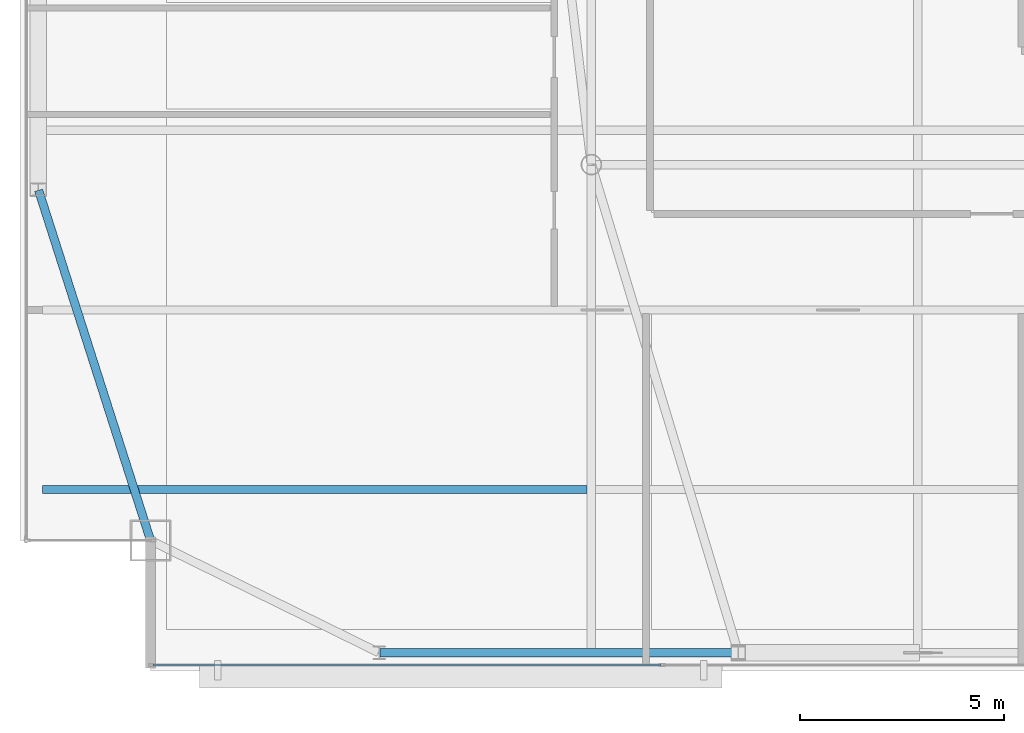
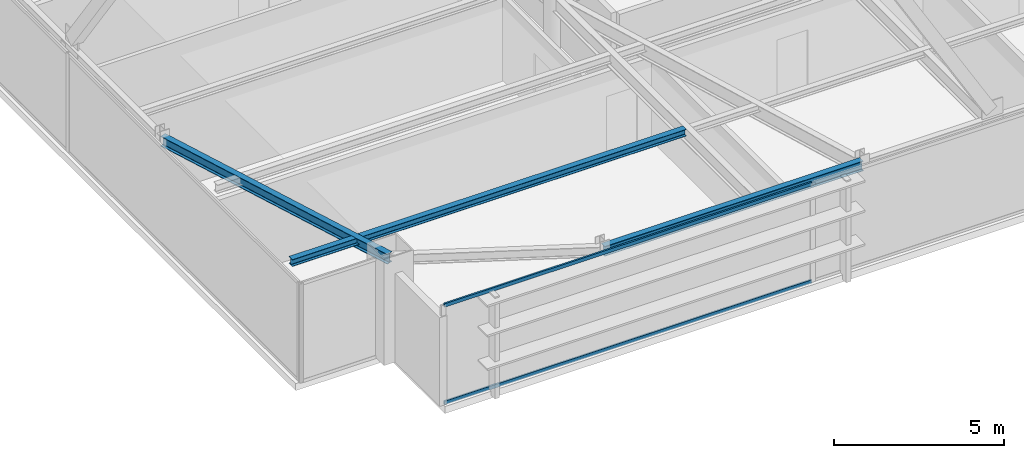
# One storey, part 5 of 24: 3 beams, 2 members, 1 element without a shape of its own.
"""IFC4 building model written with IfcOpenShell, lengths in metres."""

import ifcopenshell
import ifcopenshell.guid

model = None  # the IFC model being written
_history = None  # IfcOwnerHistory: only IFC2X3 demands one
_inside = {}  # id of a spatial element -> (the spatial element, [elements in it])
_under = {}  # id of a project, library or spatial element -> (it, [spatial elements below it])
_declared = {}  # id of a project -> (the project, [libraries it declares])
_typed = {}  # id of a type object -> (the type object, [elements of that type])
_made_of = {}  # id of a material, layer set ... -> (it, [elements and type objects made of it])


def new_model(schema):
    """Start an empty IFC model of exactly this schema.

    Asked for "IFC4X3", IfcOpenShell would pick the latest addendum, in which some entities
    have other attributes; the version numbers below select the first issue.
    IFC2X3 requires an IfcOwnerHistory on every rooted entity: one is made here for all.
    """
    global model, _history
    if schema == "IFC4X3":
        model = ifcopenshell.file(schema_version=(4, 3, 0, 0))
    else:
        model = ifcopenshell.file(schema=schema)
    _inside.clear()
    _under.clear()
    _declared.clear()
    _typed.clear()
    _made_of.clear()
    _history = None
    if model.schema == "IFC2X3":
        org = make("IfcOrganization", Name="unknown")
        user = make(
            "IfcPersonAndOrganization",
            ThePerson=make("IfcPerson", FamilyName="unknown"),
            TheOrganization=org,
        )
        app = make(
            "IfcApplication",
            ApplicationDeveloper=org,
            Version="unknown",
            ApplicationFullName="unknown",
            ApplicationIdentifier="unknown",
        )
        _history = make(
            "IfcOwnerHistory",
            OwningUser=user,
            OwningApplication=app,
            ChangeAction="ADDED",
            CreationDate=0,
        )
    return model


def make(cls, **values):
    """One entity of the class cls with the attributes given. An attribute that is None is left unset."""
    return model.create_entity(
        cls, **{name: value for name, value in values.items() if value is not None}
    )


def rooted(cls, **values):
    """An entity with a GlobalId (a new one), such as an element, a storey or a relation."""
    return make(cls, GlobalId=ifcopenshell.guid.new(), OwnerHistory=_history, **values)


def si_unit(unit_type, name, prefix=None):
    """IfcSIUnit, for example si_unit("LENGTHUNIT", "METRE", prefix="MILLI")."""
    return make("IfcSIUnit", UnitType=unit_type, Prefix=prefix, Name=name)


def assignment(units):
    """IfcUnitAssignment: the units of a project."""
    return None if units is None else make("IfcUnitAssignment", Units=units)


def point(xyz):
    """IfcCartesianPoint."""
    return None if xyz is None else make("IfcCartesianPoint", Coordinates=xyz)


def direction(xyz):
    """IfcDirection."""
    return None if xyz is None else make("IfcDirection", DirectionRatios=xyz)


def frame(location, z_axis=None, x_axis=None):
    """IfcAxis2Placement3D, a coordinate frame: its origin and axes. An axis left out is left unset."""
    return make(
        "IfcAxis2Placement3D",
        Location=point(location),
        Axis=direction(z_axis),
        RefDirection=direction(x_axis),
    )


def frame_2d(location, x_axis=None):
    """IfcAxis2Placement2D, a coordinate frame in the plane: its origin and x axis."""
    return make(
        "IfcAxis2Placement2D", Location=point(location), RefDirection=direction(x_axis)
    )


def origin():
    """The frame at (0, 0, 0) with its axes left unset."""
    return frame((0.0, 0.0, 0.0))


def origin_2d():
    """The frame at (0, 0) in the plane with its x axis left unset."""
    return frame_2d((0.0, 0.0))


def place(relative_to, where):
    """IfcLocalPlacement: puts the frame where relative to a parent placement (None: the world)."""
    return make(
        "IfcLocalPlacement", PlacementRelTo=relative_to, RelativePlacement=where
    )


def context(
    kind, dimensions, precision=None, world=None, true_north=None, identifier=None
):
    """IfcGeometricRepresentationContext, for example the 3D "Model" context."""
    return make(
        "IfcGeometricRepresentationContext",
        ContextIdentifier=identifier,
        ContextType=kind,
        CoordinateSpaceDimension=dimensions,
        Precision=precision,
        WorldCoordinateSystem=world,
        TrueNorth=true_north,
    )


def subcontext(parent, identifier, kind, view, scale=None):
    """IfcGeometricRepresentationSubContext, for example "Body" below "Model"."""
    return make(
        "IfcGeometricRepresentationSubContext",
        ContextIdentifier=identifier,
        ContextType=kind,
        ParentContext=parent,
        TargetScale=scale,
        TargetView=view,
    )


def project(units=None, contexts=None):
    """IfcProject with its units and contexts."""
    return rooted(
        "IfcProject",
        Name="project",
        RepresentationContexts=contexts,
        UnitsInContext=assignment(units),
    )


def spatial(cls, under=None, at=None, **own):
    """A site, building, storey or space (cls), placed at a placement, below another one or the project."""
    s = rooted(cls, ObjectPlacement=at, **own)
    if under is not None:
        _under.setdefault(under.id(), (under, []))[1].append(s)
    return s


def profile(cls, at=None, kind="AREA", **sizes):
    """A parametric profile (cls). Its sizes go by their IFC names, for example OverallWidth=200.0."""
    return make(cls, ProfileType=kind, Position=at, **sizes)


def hollow_rectangle(**sizes):
    """IfcRectangleHollowProfileDef."""
    return profile("IfcRectangleHollowProfileDef", **sizes)


def i_section(**sizes):
    """IfcIShapeProfileDef."""
    return profile("IfcIShapeProfileDef", **sizes)


def extrude(swept, where, along, depth):
    """IfcExtrudedAreaSolid: the profile swept, set in the frame where, extruded along a direction by depth."""
    return make(
        "IfcExtrudedAreaSolid",
        SweptArea=swept,
        Position=where,
        ExtrudedDirection=direction(along),
        Depth=depth,
    )


def shape(context_of_items, identifier, shape_type, items):
    """IfcShapeRepresentation: the items that make up one representation, for example the "Body"."""
    return make(
        "IfcShapeRepresentation",
        ContextOfItems=context_of_items,
        RepresentationIdentifier=identifier,
        RepresentationType=shape_type,
        Items=items,
    )


def source(mapping_origin, context_of_items, identifier, shape_type, items):
    """IfcRepresentationMap: a shape defined once, which mapped items show again and again."""
    return make(
        "IfcRepresentationMap",
        MappingOrigin=mapping_origin,
        MappedRepresentation=shape(context_of_items, identifier, shape_type, items),
    )


def transform(
    local_origin,
    x_axis=None,
    y_axis=None,
    z_axis=None,
    scale=None,
    scale2=None,
    scale3=None,
    uniform=True,
):
    """IfcCartesianTransformationOperator3D, or its non-uniform kind. x_axis, y_axis, z_axis: its Axis1, 2, 3."""
    if uniform:
        return make(
            "IfcCartesianTransformationOperator3D",
            Axis1=direction(x_axis),
            Axis2=direction(y_axis),
            LocalOrigin=point(local_origin),
            Scale=scale,
            Axis3=direction(z_axis),
        )
    return make(
        "IfcCartesianTransformationOperator3DnonUniform",
        Axis1=direction(x_axis),
        Axis2=direction(y_axis),
        LocalOrigin=point(local_origin),
        Scale=scale,
        Axis3=direction(z_axis),
        Scale2=scale2,
        Scale3=scale3,
    )


def mapped(mapping_source, mapping_target):
    """IfcMappedItem: shows the shape of a source again, moved by a transform."""
    return make(
        "IfcMappedItem", MappingSource=mapping_source, MappingTarget=mapping_target
    )


def material(Name=None, Category=None):
    """IfcMaterial."""
    return make("IfcMaterial", Name=Name, Category=Category)


def layer(
    of_material, thickness, ventilated=None, Name=None, Category=None, Priority=None
):
    """IfcMaterialLayer: one layer of a wall or slab, of a material (None: an air gap)."""
    return make(
        "IfcMaterialLayer",
        Material=of_material,
        LayerThickness=thickness,
        IsVentilated=ventilated,
        Name=Name,
        Category=Category,
        Priority=Priority,
    )


def layer_set(layers, Name=None):
    """IfcMaterialLayerSet."""
    return make("IfcMaterialLayerSet", MaterialLayers=layers, LayerSetName=Name)


def material_profile(
    of_material, cross_section, Name=None, Category=None, Priority=None
):
    """IfcMaterialProfile: a cross section and its material."""
    return make(
        "IfcMaterialProfile",
        Name=Name,
        Material=of_material,
        Profile=cross_section,
        Priority=Priority,
        Category=Category,
    )


def profile_set(profiles, Name=None, composite=None):
    """IfcMaterialProfileSet."""
    return make(
        "IfcMaterialProfileSet",
        Name=Name,
        MaterialProfiles=profiles,
        CompositeProfile=composite,
    )


def made_of(thing, what):
    """Note that an element or type object is made of a material, layer set ...; save() writes the relation."""
    if what is not None:
        _made_of.setdefault(what.id(), (what, []))[1].append(thing)
    return thing


def type_object(cls, material=None, **own):
    """A type object (cls), such as IfcWallType, which elements share."""
    return made_of(rooted(cls, **own), material)


def type_shapes(of_type, sources):
    """Give a type object the sources (RepresentationMaps) that its elements show as mapped items."""
    of_type.RepresentationMaps = sources


def element(
    cls,
    number,
    at=None,
    inside=None,
    cuts=None,
    type_object=None,
    material=None,
    context=None,
    identifier="Body",
    shape_type=None,
    held_by="IfcProductDefinitionShape",
    body=None,
    shapes=None,
    **own,
):
    """One element of the class cls, such as IfcWall. Its Tag is "e" and its number.

    at: its placement. inside: the storey or other place that contains it. cuts: it is an
    opening in that element (IfcRelVoidsElement). A single representation is given by context,
    identifier, shape_type and body (its items); several are given by shapes. held_by: the class
    of the entity that holds the representations. save() writes the other relations.
    """
    e = rooted(cls, Tag="e%d" % number, ObjectPlacement=at, **own)
    if body is not None:
        shapes = [shape(context, identifier, shape_type, body)]
    if shapes is not None:
        e.Representation = make(held_by, Representations=shapes)
    if inside is not None:
        _inside.setdefault(inside.id(), (inside, []))[1].append(e)
    if cuts is not None:
        rooted(
            "IfcRelVoidsElement", RelatingBuildingElement=cuts, RelatedOpeningElement=e
        )
    if type_object is not None:
        _typed.setdefault(type_object.id(), (type_object, []))[1].append(e)
    return made_of(e, material)


def aggregate(whole, parts):
    """IfcRelAggregates: a whole, such as a stair, and the parts it consists of."""
    return rooted("IfcRelAggregates", RelatingObject=whole, RelatedObjects=parts)


def save(model, path):
    """Write the relations noted so far, then the file.

    IfcRelAggregates (storeys below a building ...), IfcRelContainedInSpatialStructure (elements
    in a storey), IfcRelDefinesByType, IfcRelAssociatesMaterial and IfcRelDeclares: one each for
    every whole, place, type object, material and project.
    """
    for whole, parts in _under.values():
        aggregate(whole, parts)
    for where, things in _inside.values():
        rooted(
            "IfcRelContainedInSpatialStructure",
            RelatedElements=things,
            RelatingStructure=where,
        )
    for kind, things in _typed.values():
        rooted("IfcRelDefinesByType", RelatedObjects=things, RelatingType=kind)
    for what, things in _made_of.values():
        rooted("IfcRelAssociatesMaterial", RelatedObjects=things, RelatingMaterial=what)
    for by, libraries in _declared.values():
        rooted("IfcRelDeclares", RelatingContext=by, RelatedDefinitions=libraries)
    model.write(path)


model = new_model("IFC4")

# Units and contexts
model_context = context("Model", 3, precision=1e-05, world=origin(), true_north=direction((0.0, 1.0)))
body_context = subcontext(model_context, "Body", "Model", "MODEL_VIEW")
ifc_project = project(units=[si_unit("LENGTHUNIT", "METRE"), si_unit("AREAUNIT", "SQUARE_METRE"), si_unit("VOLUMEUNIT", "CUBIC_METRE"), si_unit("PLANEANGLEUNIT", "RADIAN"), si_unit("MASSUNIT", "GRAM", prefix="KILO")], contexts=[model_context])

# Site, building, storey
site_placement = place(None, origin())
site = spatial("IfcSite", under=ifc_project, at=site_placement, CompositionType="ELEMENT")
building_placement = place(site_placement, origin())
building = spatial("IfcBuilding", under=site, at=building_placement, Name="Varnel Quay Broadcast Tower", CompositionType="ELEMENT")
storey_placement = place(building_placement, frame((0.0, 0.0, 262.199951171875)))
storey = spatial("IfcBuildingStorey", under=building, at=storey_placement, Name="L65", CompositionType="ELEMENT", Elevation=262.199951171875)

# Beams
ifc_material_1 = material(Name="Structural Steel CSA G40.21 350W", Category="steel")
ifc_material_profile_1 = material_profile(ifc_material_1, i_section(OverallWidth=0.205078125, OverallDepth=0.35400390625, WebThickness=0.009521484375, FlangeThickness=0.016845703125, FilletRadius=0.012939453125, at=origin_2d()), Name="W360X79")
ifc_profile_set_1 = profile_set([ifc_material_profile_1], Name="Structural Steel CSA G40.21 350W")
beam_type_1 = type_object("IfcBeamType", Name="Beam_W360X79", PredefinedType="SPANDREL", material=ifc_profile_set_1)
shared_shape_1 = source(origin(), body_context, "Body", "SweptSolid", [
    extrude(i_section(OverallWidth=0.205078125, OverallDepth=0.35400390625, WebThickness=0.009521484375, FlangeThickness=0.016845703125, FilletRadius=0.012939453125, at=origin_2d()), origin(), (0.0, 0.0, 1.0), 8.760009765625),
])
beam_1_placement = place(storey_placement, frame((20.820068359375, 13.64990234375, 3.373046875), z_axis=(1.0, 0.0, 0.0), x_axis=(0.0, 1.0, 0.0)))
element("IfcBeam", 1, at=beam_1_placement, inside=storey, type_object=beam_type_1, Name="L65 South Spandrel TC-S1-TC-S2", PredefinedType="SPANDREL", context=body_context, shape_type="MappedRepresentation", body=[
    mapped(shared_shape_1, transform((0.0, 0.0, 0.0), x_axis=(1.0, 0.0, 0.0), y_axis=(0.0, 1.0, 0.0), z_axis=(0.0, 0.0, 1.0), scale=1.0)),
])
shared_shape_2 = source(origin(), body_context, "Body", "SweptSolid", [
    extrude(i_section(OverallWidth=0.205078125, OverallDepth=0.35400390625, WebThickness=0.009521484375, FlangeThickness=0.016845703125, FilletRadius=0.012939453125, at=origin_2d()), origin(), (0.0, 0.0, 1.0), 8.989013671875),
])
type_shapes(beam_type_1, [shared_shape_1, shared_shape_2])
beam_2_placement = place(storey_placement, frame((15.19384765625, 16.4189453125, 3.373046875), z_axis=(-0.304568770162, 0.952490348635, 0.0), x_axis=(-0.952490348635, -0.304568770162, 0.0)))
element("IfcBeam", 2, at=beam_2_placement, inside=storey, type_object=beam_type_1, Name="L65 West Spandrel MC-SW-TC-W1", PredefinedType="SPANDREL", context=body_context, shape_type="MappedRepresentation", body=[
    mapped(shared_shape_2, transform((0.0, 0.0, 0.0), x_axis=(1.0, 0.0, 0.0), y_axis=(0.0, 1.0, 0.0), z_axis=(0.0, 0.0, 1.0), scale=1.0)),
])
ifc_material_profile_2 = material_profile(ifc_material_1, i_section(OverallWidth=0.201904296875, OverallDepth=0.2470703125, WebThickness=0.00732421875, FlangeThickness=0.010986328125, FilletRadius=0.010986328125, at=origin_2d()), Name="W250X49")
ifc_profile_set_2 = profile_set([ifc_material_profile_2], Name="Structural Steel CSA G40.21 350W")
beam_type_2 = type_object("IfcBeamType", Name="Beam_W250X49", PredefinedType="JOIST", material=ifc_profile_set_2)
shared_shape_3 = source(origin(), body_context, "Body", "SweptSolid", [
    extrude(i_section(OverallWidth=0.201904296875, OverallDepth=0.2470703125, WebThickness=0.00732421875, FlangeThickness=0.010986328125, FilletRadius=0.010986328125, at=origin_2d()), origin(), (0.0, 0.0, 1.0), 13.351318359375),
])
type_shapes(beam_type_2, [shared_shape_3])
beam_3_placement = place(storey_placement, frame((12.547607421875, 17.64990234375, 3.426513671875), z_axis=(1.0, 0.0, 0.0), x_axis=(0.0, 1.0, 0.0)))
element("IfcBeam", 3, at=beam_3_placement, inside=storey, type_object=beam_type_2, Name="L65 West Floor Joist 1", PredefinedType="JOIST", context=body_context, shape_type="MappedRepresentation", body=[
    mapped(shared_shape_3, transform((0.0, 0.0, 0.0), x_axis=(1.0, 0.0, 0.0), y_axis=(0.0, 1.0, 0.0), z_axis=(0.0, 0.0, 1.0), scale=1.0)),
])

# Curtain wall, members
ifc_material_2 = material(Name="Anodised Bronze Aluminium 6063-T6", Category="aluminium")
ifc_layer = layer(ifc_material_2, 0.18994140625, Name="Anodised Bronze Aluminium 6063-T6")
ifc_layer_set = layer_set([ifc_layer], Name="Anodised Bronze Aluminium 6063-T6")
curtain_wall_type = type_object("IfcCurtainWallType", Name="CW_UpperTower", PredefinedType="NOTDEFINED", material=ifc_layer_set)
curtain_wall_placement = place(storey_placement, origin())
curtain_wall = element("IfcCurtainWall", 4, at=curtain_wall_placement, inside=storey, type_object=curtain_wall_type, Name="L65 South Unitised Curtain Wall 1", PredefinedType="NOTDEFINED")
ifc_material_profile_3 = material_profile(ifc_material_2, hollow_rectangle(XDim=0.06005859375, YDim=0.125, WallThickness=0.0029296875, at=origin_2d()), Name="ALU60X125X3")
ifc_profile_set_3 = profile_set([ifc_material_profile_3], Name="Anodised Bronze Aluminium 6063-T6")
member_type = type_object("IfcMemberType", Name="Tran_CWS-03", PredefinedType="USERDEFINED", material=ifc_profile_set_3)
shared_shape_4 = source(origin(), body_context, "Body", "SweptSolid", [
    extrude(hollow_rectangle(XDim=0.06005859375, YDim=0.125, WallThickness=0.0029296875, at=origin_2d()), origin(), (0.0, 0.0, 1.0), 12.43603515625),
])
type_shapes(member_type, [shared_shape_4])
member_1_placement = place(storey_placement, frame((15.264892578125, 13.35009765625, 0.030029296875), z_axis=(1.0, 0.0, 0.0), x_axis=(0.0, 1.0, 0.0)))
member_1 = element("IfcMember", 5, at=member_1_placement, type_object=member_type, Name="CWS-03 transom 1.1", ObjectType="TRANSOM", PredefinedType="USERDEFINED", context=body_context, shape_type="MappedRepresentation", body=[
    mapped(shared_shape_4, transform((0.0, 0.0, 0.0), x_axis=(1.0, 0.0, 0.0), y_axis=(0.0, 1.0, 0.0), z_axis=(0.0, 0.0, 1.0), scale=1.0)),
])
member_2_placement = place(storey_placement, frame((15.264892578125, 13.35009765625, 3.52001953125), z_axis=(1.0, 0.0, 0.0), x_axis=(0.0, 1.0, 0.0)))
member_2 = element("IfcMember", 6, at=member_2_placement, type_object=member_type, Name="CWS-03 transom 1.2", ObjectType="TRANSOM", PredefinedType="USERDEFINED", context=body_context, shape_type="MappedRepresentation", body=[
    mapped(shared_shape_4, transform((0.0, 0.0, 0.0), x_axis=(1.0, 0.0, 0.0), y_axis=(0.0, 1.0, 0.0), z_axis=(0.0, 0.0, 1.0), scale=1.0)),
])
aggregate(curtain_wall, [member_1, member_2])

save(model, "model.ifc")
